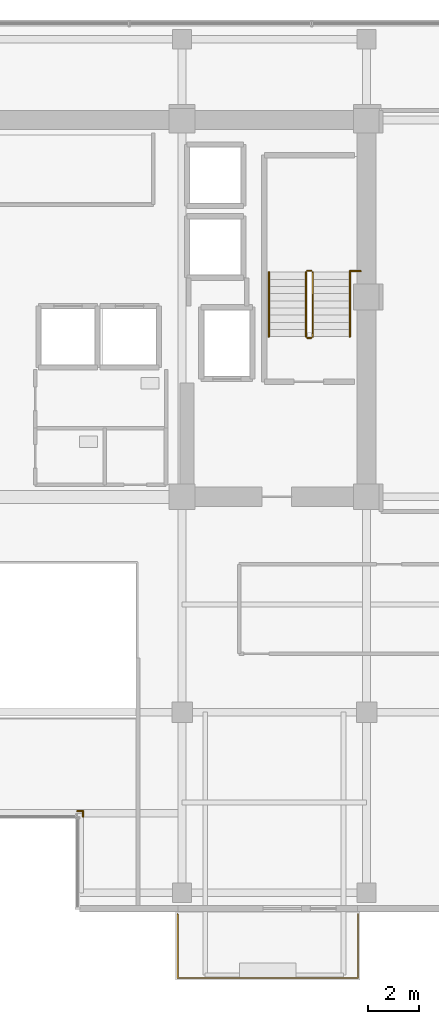
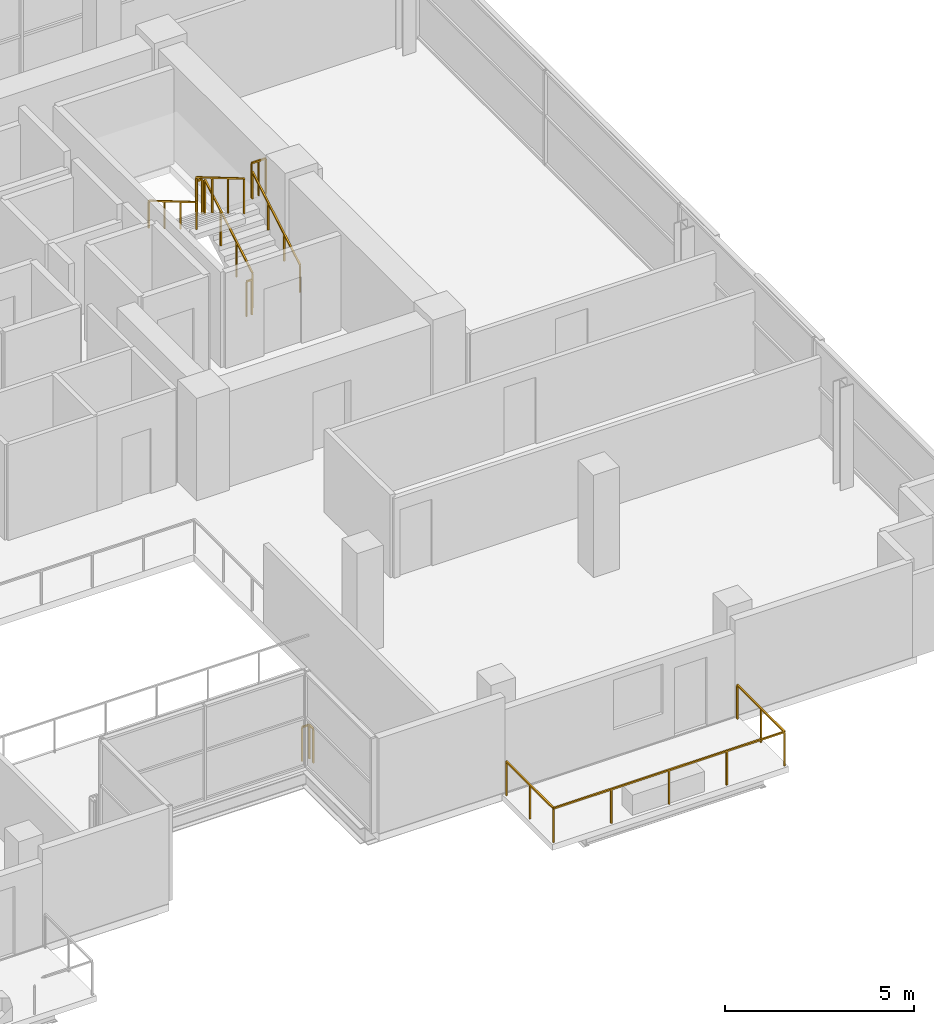
# One storey, part 20 of 21: 10 railings.
"""IFC4 building model written with IfcOpenShell, lengths in metres."""

from ifc_helpers import new_model, si_unit, direction, frame, origin, origin_2d, place, context, subcontext, project, spatial, rectangle, extrude, material, type_object, element, save


model = new_model("IFC4")

# Units and contexts
model_context = context("Model", 3, precision=1e-05, world=origin(), true_north=direction((0.0, 1.0)))
body_context = subcontext(model_context, "Body", "Model", "MODEL_VIEW")
ifc_project = project(units=[si_unit("LENGTHUNIT", "METRE"), si_unit("AREAUNIT", "SQUARE_METRE"), si_unit("VOLUMEUNIT", "CUBIC_METRE"), si_unit("PLANEANGLEUNIT", "RADIAN"), si_unit("MASSUNIT", "GRAM", prefix="KILO")], contexts=[model_context])

# Site, building, storey
site_placement = place(None, origin())
site = spatial("IfcSite", under=ifc_project, at=site_placement, CompositionType="ELEMENT")
building_placement = place(site_placement, origin())
building = spatial("IfcBuilding", under=site, at=building_placement, Name="Zarnakvel Exchange Tower", CompositionType="ELEMENT")
storey_placement = place(building_placement, frame((0.0, 0.0, 166.0)))
storey = spatial("IfcBuildingStorey", under=building, at=storey_placement, Name="L46", CompositionType="ELEMENT", Elevation=166.0)

# Railings
ifc_material_1 = material(Name="Architectural Bronze Anodised Aluminium", Category="aluminium")
railing_type_1 = type_object("IfcRailingType", Name="GR-02", PredefinedType="GUARDRAIL", material=ifc_material_1)
railing_1_placement = place(storey_placement, frame((7.030029296875, -17.47998046875, -0.034912109375)))
element("IfcRailing", 1, at=railing_1_placement, inside=storey, type_object=railing_type_1, Name="L46 Balcony Guardrail BAL-L46-SE", PredefinedType="GUARDRAIL", context=body_context, shape_type="SweptSolid", body=[
    extrude(rectangle(XDim=0.048095703125, YDim=0.048095703125, at=origin_2d()), frame((0.0, 0.0, 1.09619140625), z_axis=(0.0, -1.0, 0.0), x_axis=(1.0, 0.0, 0.0)), (0.0, 0.0, 1.0), 2.489990234375),
    extrude(rectangle(XDim=0.048095703125, YDim=0.048095703125, at=origin_2d()), frame((0.0, -2.489990234375, 1.09619140625), z_axis=(1.0, 0.0, 0.0), x_axis=(0.0, 1.0, 0.0)), (0.0, 0.0, 1.0), 7.0400390625),
    extrude(rectangle(XDim=0.048095703125, YDim=0.048095703125, at=origin_2d()), frame((7.0400390625, -2.489990234375, 1.09619140625), z_axis=(0.0, 1.0, 0.0), x_axis=(-1.0, 0.0, 0.0)), (0.0, 0.0, 1.0), 2.489990234375),
    extrude(rectangle(XDim=0.0419921875, YDim=0.0419921875, at=origin_2d()), origin(), (0.0, 0.0, 1.0), 1.072021484375),
    extrude(rectangle(XDim=0.0419921875, YDim=0.0419921875, at=origin_2d()), frame((0.0, -1.2451171875, 0.0)), (0.0, 0.0, 1.0), 1.072021484375),
    extrude(rectangle(XDim=0.0419921875, YDim=0.0419921875, at=origin_2d()), frame((0.0, -2.489990234375, 0.0)), (0.0, 0.0, 1.0), 1.072021484375),
    extrude(rectangle(XDim=0.0419921875, YDim=0.0419921875, at=origin_2d()), frame((1.760009765625, -2.489990234375, 0.0)), (0.0, 0.0, 1.0), 1.072021484375),
    extrude(rectangle(XDim=0.0419921875, YDim=0.0419921875, at=origin_2d()), frame((3.52001953125, -2.489990234375, 0.0)), (0.0, 0.0, 1.0), 1.072021484375),
    extrude(rectangle(XDim=0.0419921875, YDim=0.0419921875, at=origin_2d()), frame((5.280029296875, -2.489990234375, 0.0)), (0.0, 0.0, 1.0), 1.072021484375),
    extrude(rectangle(XDim=0.0419921875, YDim=0.0419921875, at=origin_2d()), frame((7.0400390625, -2.489990234375, 0.0)), (0.0, 0.0, 1.0), 1.072021484375),
    extrude(rectangle(XDim=0.0419921875, YDim=0.0419921875, at=origin_2d()), frame((7.0400390625, -1.2451171875, 0.0)), (0.0, 0.0, 1.0), 1.072021484375),
    extrude(rectangle(XDim=0.0419921875, YDim=0.0419921875, at=origin_2d()), frame((7.0400390625, 0.0, 0.0)), (0.0, 0.0, 1.0), 1.072021484375),
])
railing_2_placement = place(storey_placement, frame((3.340087890625, -13.679931640625, 0.0)))
element("IfcRailing", 2, at=railing_2_placement, inside=storey, type_object=railing_type_1, Name="L46 Corner Spandrel Balustrade #17", PredefinedType="GUARDRAIL", context=body_context, shape_type="SweptSolid", body=[
    extrude(rectangle(XDim=0.048095703125, YDim=0.048095703125, at=origin_2d()), frame((0.0, 0.0, 1.09619140625), z_axis=(0.0, 1.0, 0.0), x_axis=(-1.0, 0.0, 0.0)), (0.0, 0.0, 1.0), 0.219970703125),
    extrude(rectangle(XDim=0.0419921875, YDim=0.0419921875, at=origin_2d()), origin(), (0.0, 0.0, 1.0), 1.072021484375),
    extrude(rectangle(XDim=0.0419921875, YDim=0.0419921875, at=origin_2d()), frame((0.0, 0.219970703125, 0.0)), (0.0, 0.0, 1.0), 1.072021484375),
])
railing_3_placement = place(storey_placement, frame((3.340087890625, -13.4599609375, 0.0)))
element("IfcRailing", 3, at=railing_3_placement, inside=storey, type_object=railing_type_1, Name="L46 Corner Spandrel Balustrade #18", PredefinedType="GUARDRAIL", context=body_context, shape_type="SweptSolid", body=[
    extrude(rectangle(XDim=0.048095703125, YDim=0.048095703125, at=origin_2d()), frame((0.0, 0.0, 1.09619140625), z_axis=(-1.0, 0.0, 0.0), x_axis=(0.0, -1.0, 0.0)), (0.0, 0.0, 1.0), 0.219970703125),
    extrude(rectangle(XDim=0.0419921875, YDim=0.0419921875, at=origin_2d()), origin(), (0.0, 0.0, 1.0), 1.072021484375),
    extrude(rectangle(XDim=0.0419921875, YDim=0.0419921875, at=origin_2d()), frame((-0.219970703125, 0.0, 0.0)), (0.0, 0.0, 1.0), 1.072021484375),
])
ifc_material_2 = material(Name="Brushed Stainless Steel", Category="steel")
railing_type_2 = type_object("IfcRailingType", Name="HR-01", PredefinedType="HANDRAIL", material=ifc_material_2)
railing_4_placement = place(storey_placement, frame((13.75, 5.050048828125, 0.1650390625)))
element("IfcRailing", 4, at=railing_4_placement, inside=storey, type_object=railing_type_2, Name="L46 ST-02 stair handrail 1", PredefinedType="HANDRAIL", context=body_context, shape_type="SweptSolid", body=[
    extrude(rectangle(XDim=0.048095703125, YDim=0.048095703125, at=origin_2d()), frame((0.0, 0.0, 0.8759765625), z_axis=(0.0, 0.861560626758, 0.507654692109), x_axis=(-1.0, 0.0, 0.0)), (0.0, 0.0, 1.0), 2.925048828125),
    extrude(rectangle(XDim=0.0419921875, YDim=0.0419921875, at=origin_2d()), origin(), (0.0, 0.0, 1.0), 0.851806640625),
    extrude(rectangle(XDim=0.0419921875, YDim=0.0419921875, at=origin_2d()), frame((0.0, 0.840087890625, 0.494873046875)), (0.0, 0.0, 1.0), 0.851806640625),
    extrude(rectangle(XDim=0.0419921875, YDim=0.0419921875, at=origin_2d()), frame((0.0, 1.679931640625, 0.989990234375)), (0.0, 0.0, 1.0), 0.851806640625),
    extrude(rectangle(XDim=0.0419921875, YDim=0.0419921875, at=origin_2d()), frame((0.0, 2.52001953125, 1.48486328125)), (0.0, 0.0, 1.0), 0.851806640625),
])
railing_5_placement = place(storey_placement, frame((10.590087890625, 7.570068359375, 1.81494140625)))
element("IfcRailing", 5, at=railing_5_placement, inside=storey, type_object=railing_type_2, Name="L46 ST-02 stair handrail 2", PredefinedType="HANDRAIL", context=body_context, shape_type="SweptSolid", body=[
    extrude(rectangle(XDim=0.048095703125, YDim=0.048095703125, at=origin_2d()), frame((0.0, 0.0, 0.8759765625), z_axis=(0.0, -0.86152411907, 0.507716645641), x_axis=(1.0, 0.0, 0.0)), (0.0, 0.0, 1.0), 2.925048828125),
    extrude(rectangle(XDim=0.0419921875, YDim=0.0419921875, at=origin_2d()), origin(), (0.0, 0.0, 1.0), 0.851806640625),
    extrude(rectangle(XDim=0.0419921875, YDim=0.0419921875, at=origin_2d()), frame((0.0, -0.840087890625, 0.4951171875)), (0.0, 0.0, 1.0), 0.851806640625),
    extrude(rectangle(XDim=0.0419921875, YDim=0.0419921875, at=origin_2d()), frame((0.0, -1.679931640625, 0.989990234375)), (0.0, 0.0, 1.0), 0.851806640625),
    extrude(rectangle(XDim=0.0419921875, YDim=0.0419921875, at=origin_2d()), frame((0.0, -2.52001953125, 1.485107421875)), (0.0, 0.0, 1.0), 0.851806640625),
])
railing_type_3 = type_object("IfcRailingType", Name="SG-01", PredefinedType="GUARDRAIL", material=ifc_material_1)
railing_6_placement = place(storey_placement, frame((12.300048828125, 5.050048828125, 0.1650390625)))
element("IfcRailing", 6, at=railing_6_placement, inside=storey, type_object=railing_type_3, Name="L46 ST-02 stair guard 1", PredefinedType="GUARDRAIL", context=body_context, shape_type="SweptSolid", body=[
    extrude(rectangle(XDim=0.048095703125, YDim=0.048095703125, at=origin_2d()), frame((0.0, 0.0, 1.1259765625), z_axis=(0.0, 0.861560626758, 0.507654692109), x_axis=(-1.0, 0.0, 0.0)), (0.0, 0.0, 1.0), 2.925048828125),
    extrude(rectangle(XDim=0.0419921875, YDim=0.0419921875, at=origin_2d()), origin(), (0.0, 0.0, 1.0), 1.101806640625),
    extrude(rectangle(XDim=0.0419921875, YDim=0.0419921875, at=origin_2d()), frame((0.0, 0.840087890625, 0.494873046875)), (0.0, 0.0, 1.0), 1.101806640625),
    extrude(rectangle(XDim=0.0419921875, YDim=0.0419921875, at=origin_2d()), frame((0.0, 1.679931640625, 0.989990234375)), (0.0, 0.0, 1.0), 1.101806640625),
    extrude(rectangle(XDim=0.0419921875, YDim=0.0419921875, at=origin_2d()), frame((0.0, 2.52001953125, 1.48486328125)), (0.0, 0.0, 1.0), 1.101806640625),
])
railing_7_placement = place(storey_placement, frame((12.25, 7.6201171875, 1.64990234375)))
element("IfcRailing", 7, at=railing_7_placement, inside=storey, type_object=railing_type_3, Name="L46 ST-02 stair guard 2", PredefinedType="GUARDRAIL", context=body_context, shape_type="SweptSolid", body=[
    extrude(rectangle(XDim=0.048095703125, YDim=0.048095703125, at=origin_2d()), frame((0.0, 0.0, 1.1259765625), z_axis=(-1.0, 0.0, 0.0), x_axis=(0.0, -1.0, 0.0)), (0.0, 0.0, 1.0), 0.159912109375),
    extrude(rectangle(XDim=0.0419921875, YDim=0.0419921875, at=origin_2d()), origin(), (0.0, 0.0, 1.0), 1.101806640625),
    extrude(rectangle(XDim=0.0419921875, YDim=0.0419921875, at=origin_2d()), frame((-0.159912109375, 0.0, 0.0)), (0.0, 0.0, 1.0), 1.101806640625),
])
railing_8_placement = place(storey_placement, frame((12.0400390625, 7.570068359375, 1.81494140625)))
element("IfcRailing", 8, at=railing_8_placement, inside=storey, type_object=railing_type_3, Name="L46 ST-02 stair guard 3", PredefinedType="GUARDRAIL", context=body_context, shape_type="SweptSolid", body=[
    extrude(rectangle(XDim=0.048095703125, YDim=0.048095703125, at=origin_2d()), frame((0.0, 0.0, 1.1259765625), z_axis=(0.0, -0.86152411907, 0.507716645641), x_axis=(1.0, 0.0, 0.0)), (0.0, 0.0, 1.0), 2.925048828125),
    extrude(rectangle(XDim=0.0419921875, YDim=0.0419921875, at=origin_2d()), origin(), (0.0, 0.0, 1.0), 1.101806640625),
    extrude(rectangle(XDim=0.0419921875, YDim=0.0419921875, at=origin_2d()), frame((0.0, -0.840087890625, 0.4951171875)), (0.0, 0.0, 1.0), 1.101806640625),
    extrude(rectangle(XDim=0.0419921875, YDim=0.0419921875, at=origin_2d()), frame((0.0, -1.679931640625, 0.989990234375)), (0.0, 0.0, 1.0), 1.101806640625),
    extrude(rectangle(XDim=0.0419921875, YDim=0.0419921875, at=origin_2d()), frame((0.0, -2.52001953125, 1.485107421875)), (0.0, 0.0, 1.0), 1.101806640625),
])
railing_9_placement = place(storey_placement, frame((12.25, 5.0, 0.0)))
element("IfcRailing", 9, at=railing_9_placement, inside=storey, type_object=railing_type_3, Name="L46 ST-02 stair guard 4", PredefinedType="GUARDRAIL", context=body_context, shape_type="SweptSolid", body=[
    extrude(rectangle(XDim=0.048095703125, YDim=0.048095703125, at=origin_2d()), frame((0.0, 0.0, 1.1259765625), z_axis=(-1.0, 0.0, 0.0), x_axis=(0.0, -1.0, 0.0)), (0.0, 0.0, 1.0), 0.159912109375),
    extrude(rectangle(XDim=0.0419921875, YDim=0.0419921875, at=origin_2d()), origin(), (0.0, 0.0, 1.0), 1.101806640625),
    extrude(rectangle(XDim=0.0419921875, YDim=0.0419921875, at=origin_2d()), frame((-0.159912109375, 0.0, 0.0)), (0.0, 0.0, 1.0), 1.101806640625),
])
railing_10_placement = place(storey_placement, frame((13.75, 7.610107421875, 1.64990234375)))
element("IfcRailing", 10, at=railing_10_placement, inside=storey, type_object=railing_type_3, Name="L46 ST-02 Landing Slot Guardrail", PredefinedType="GUARDRAIL", context=body_context, shape_type="SweptSolid", body=[
    extrude(rectangle(XDim=0.048095703125, YDim=0.048095703125, at=origin_2d()), frame((0.0, 0.0, 1.1259765625), z_axis=(1.0, 0.0, 0.0), x_axis=(0.0, 1.0, 0.0)), (0.0, 0.0, 1.0), 0.429931640625),
    extrude(rectangle(XDim=0.0419921875, YDim=0.0419921875, at=origin_2d()), origin(), (0.0, 0.0, 1.0), 1.101806640625),
    extrude(rectangle(XDim=0.0419921875, YDim=0.0419921875, at=origin_2d()), frame((0.21484375, 0.0, 0.0)), (0.0, 0.0, 1.0), 1.101806640625),
    extrude(rectangle(XDim=0.0419921875, YDim=0.0419921875, at=origin_2d()), frame((0.429931640625, 0.0, 0.0)), (0.0, 0.0, 1.0), 1.101806640625),
])

save(model, "model.ifc")
